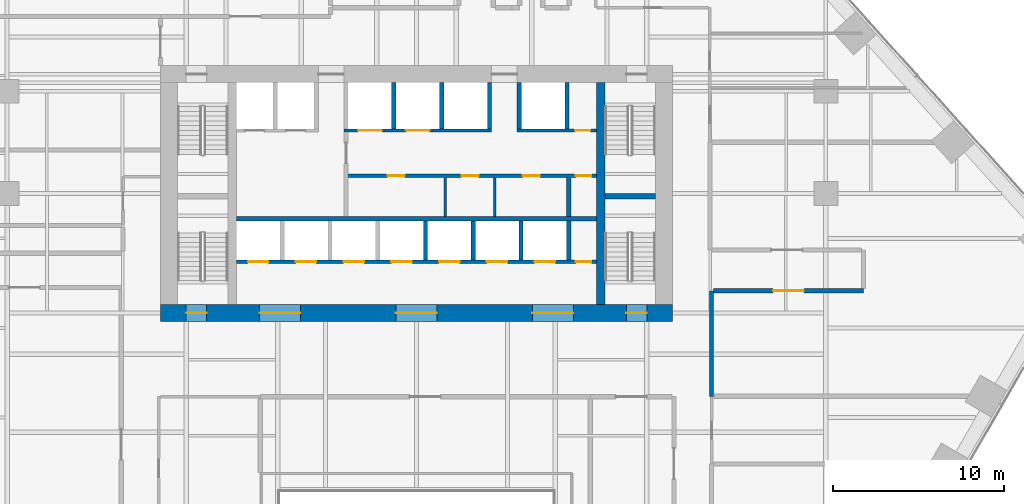
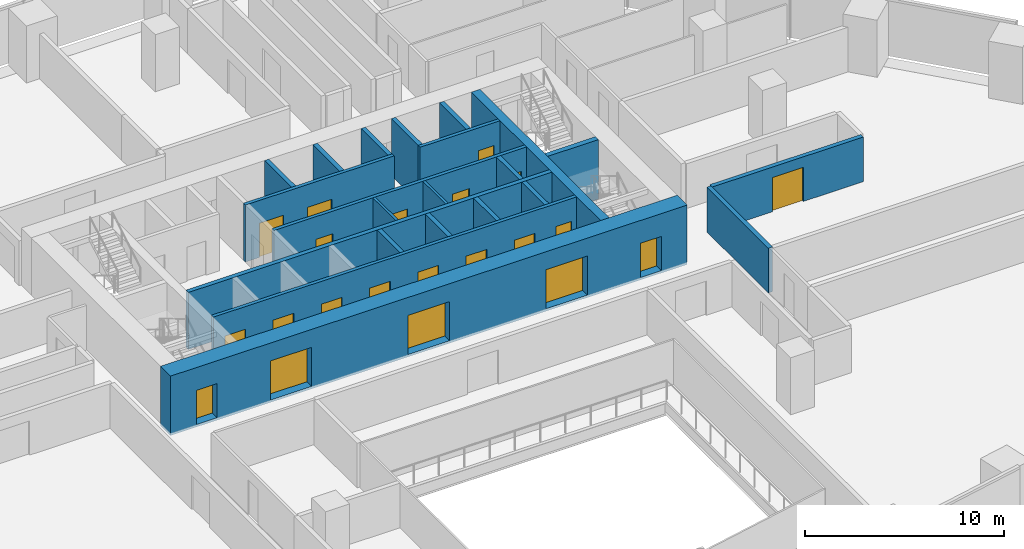
# One storey, part 15 of 21: 22 walls, 21 doors, 21 openings.
"""IFC4 building model written with IfcOpenShell, lengths in metres."""

import ifcopenshell
import ifcopenshell.guid

model = None  # the IFC model being written
_history = None  # IfcOwnerHistory: only IFC2X3 demands one
_inside = {}  # id of a spatial element -> (the spatial element, [elements in it])
_under = {}  # id of a project, library or spatial element -> (it, [spatial elements below it])
_declared = {}  # id of a project -> (the project, [libraries it declares])
_typed = {}  # id of a type object -> (the type object, [elements of that type])
_made_of = {}  # id of a material, layer set ... -> (it, [elements and type objects made of it])


def new_model(schema):
    """Start an empty IFC model of exactly this schema.

    Asked for "IFC4X3", IfcOpenShell would pick the latest addendum, in which some entities
    have other attributes; the version numbers below select the first issue.
    IFC2X3 requires an IfcOwnerHistory on every rooted entity: one is made here for all.
    """
    global model, _history
    if schema == "IFC4X3":
        model = ifcopenshell.file(schema_version=(4, 3, 0, 0))
    else:
        model = ifcopenshell.file(schema=schema)
    _inside.clear()
    _under.clear()
    _declared.clear()
    _typed.clear()
    _made_of.clear()
    _history = None
    if model.schema == "IFC2X3":
        org = make("IfcOrganization", Name="unknown")
        user = make(
            "IfcPersonAndOrganization",
            ThePerson=make("IfcPerson", FamilyName="unknown"),
            TheOrganization=org,
        )
        app = make(
            "IfcApplication",
            ApplicationDeveloper=org,
            Version="unknown",
            ApplicationFullName="unknown",
            ApplicationIdentifier="unknown",
        )
        _history = make(
            "IfcOwnerHistory",
            OwningUser=user,
            OwningApplication=app,
            ChangeAction="ADDED",
            CreationDate=0,
        )
    return model


def make(cls, **values):
    """One entity of the class cls with the attributes given. An attribute that is None is left unset."""
    return model.create_entity(
        cls, **{name: value for name, value in values.items() if value is not None}
    )


def rooted(cls, **values):
    """An entity with a GlobalId (a new one), such as an element, a storey or a relation."""
    return make(cls, GlobalId=ifcopenshell.guid.new(), OwnerHistory=_history, **values)


def si_unit(unit_type, name, prefix=None):
    """IfcSIUnit, for example si_unit("LENGTHUNIT", "METRE", prefix="MILLI")."""
    return make("IfcSIUnit", UnitType=unit_type, Prefix=prefix, Name=name)


def assignment(units):
    """IfcUnitAssignment: the units of a project."""
    return None if units is None else make("IfcUnitAssignment", Units=units)


def point(xyz):
    """IfcCartesianPoint."""
    return None if xyz is None else make("IfcCartesianPoint", Coordinates=xyz)


def direction(xyz):
    """IfcDirection."""
    return None if xyz is None else make("IfcDirection", DirectionRatios=xyz)


def frame(location, z_axis=None, x_axis=None):
    """IfcAxis2Placement3D, a coordinate frame: its origin and axes. An axis left out is left unset."""
    return make(
        "IfcAxis2Placement3D",
        Location=point(location),
        Axis=direction(z_axis),
        RefDirection=direction(x_axis),
    )


def frame_2d(location, x_axis=None):
    """IfcAxis2Placement2D, a coordinate frame in the plane: its origin and x axis."""
    return make(
        "IfcAxis2Placement2D", Location=point(location), RefDirection=direction(x_axis)
    )


def origin():
    """The frame at (0, 0, 0) with its axes left unset."""
    return frame((0.0, 0.0, 0.0))


def place(relative_to, where):
    """IfcLocalPlacement: puts the frame where relative to a parent placement (None: the world)."""
    return make(
        "IfcLocalPlacement", PlacementRelTo=relative_to, RelativePlacement=where
    )


def context(
    kind, dimensions, precision=None, world=None, true_north=None, identifier=None
):
    """IfcGeometricRepresentationContext, for example the 3D "Model" context."""
    return make(
        "IfcGeometricRepresentationContext",
        ContextIdentifier=identifier,
        ContextType=kind,
        CoordinateSpaceDimension=dimensions,
        Precision=precision,
        WorldCoordinateSystem=world,
        TrueNorth=true_north,
    )


def subcontext(parent, identifier, kind, view, scale=None):
    """IfcGeometricRepresentationSubContext, for example "Body" below "Model"."""
    return make(
        "IfcGeometricRepresentationSubContext",
        ContextIdentifier=identifier,
        ContextType=kind,
        ParentContext=parent,
        TargetScale=scale,
        TargetView=view,
    )


def project(units=None, contexts=None):
    """IfcProject with its units and contexts."""
    return rooted(
        "IfcProject",
        Name="project",
        RepresentationContexts=contexts,
        UnitsInContext=assignment(units),
    )


def spatial(cls, under=None, at=None, **own):
    """A site, building, storey or space (cls), placed at a placement, below another one or the project."""
    s = rooted(cls, ObjectPlacement=at, **own)
    if under is not None:
        _under.setdefault(under.id(), (under, []))[1].append(s)
    return s


def profile(cls, at=None, kind="AREA", **sizes):
    """A parametric profile (cls). Its sizes go by their IFC names, for example OverallWidth=200.0."""
    return make(cls, ProfileType=kind, Position=at, **sizes)


def rectangle(**sizes):
    """IfcRectangleProfileDef."""
    return profile("IfcRectangleProfileDef", **sizes)


def extrude(swept, where, along, depth):
    """IfcExtrudedAreaSolid: the profile swept, set in the frame where, extruded along a direction by depth."""
    return make(
        "IfcExtrudedAreaSolid",
        SweptArea=swept,
        Position=where,
        ExtrudedDirection=direction(along),
        Depth=depth,
    )


def shape(context_of_items, identifier, shape_type, items):
    """IfcShapeRepresentation: the items that make up one representation, for example the "Body"."""
    return make(
        "IfcShapeRepresentation",
        ContextOfItems=context_of_items,
        RepresentationIdentifier=identifier,
        RepresentationType=shape_type,
        Items=items,
    )


def material(Name=None, Category=None):
    """IfcMaterial."""
    return make("IfcMaterial", Name=Name, Category=Category)


def layer(
    of_material, thickness, ventilated=None, Name=None, Category=None, Priority=None
):
    """IfcMaterialLayer: one layer of a wall or slab, of a material (None: an air gap)."""
    return make(
        "IfcMaterialLayer",
        Material=of_material,
        LayerThickness=thickness,
        IsVentilated=ventilated,
        Name=Name,
        Category=Category,
        Priority=Priority,
    )


def layer_set(layers, Name=None):
    """IfcMaterialLayerSet."""
    return make("IfcMaterialLayerSet", MaterialLayers=layers, LayerSetName=Name)


def made_of(thing, what):
    """Note that an element or type object is made of a material, layer set ...; save() writes the relation."""
    if what is not None:
        _made_of.setdefault(what.id(), (what, []))[1].append(thing)
    return thing


def type_object(cls, material=None, **own):
    """A type object (cls), such as IfcWallType, which elements share."""
    return made_of(rooted(cls, **own), material)


def element(
    cls,
    number,
    at=None,
    inside=None,
    cuts=None,
    type_object=None,
    material=None,
    context=None,
    identifier="Body",
    shape_type=None,
    held_by="IfcProductDefinitionShape",
    body=None,
    shapes=None,
    **own,
):
    """One element of the class cls, such as IfcWall. Its Tag is "e" and its number.

    at: its placement. inside: the storey or other place that contains it. cuts: it is an
    opening in that element (IfcRelVoidsElement). A single representation is given by context,
    identifier, shape_type and body (its items); several are given by shapes. held_by: the class
    of the entity that holds the representations. save() writes the other relations.
    """
    e = rooted(cls, Tag="e%d" % number, ObjectPlacement=at, **own)
    if body is not None:
        shapes = [shape(context, identifier, shape_type, body)]
    if shapes is not None:
        e.Representation = make(held_by, Representations=shapes)
    if inside is not None:
        _inside.setdefault(inside.id(), (inside, []))[1].append(e)
    if cuts is not None:
        rooted(
            "IfcRelVoidsElement", RelatingBuildingElement=cuts, RelatedOpeningElement=e
        )
    if type_object is not None:
        _typed.setdefault(type_object.id(), (type_object, []))[1].append(e)
    return made_of(e, material)


def fill(opening, filler):
    """IfcRelFillsElement: the door or window that sits in an opening."""
    return rooted(
        "IfcRelFillsElement",
        RelatingOpeningElement=opening,
        RelatedBuildingElement=filler,
    )


def aggregate(whole, parts):
    """IfcRelAggregates: a whole, such as a stair, and the parts it consists of."""
    return rooted("IfcRelAggregates", RelatingObject=whole, RelatedObjects=parts)


def save(model, path):
    """Write the relations noted so far, then the file.

    IfcRelAggregates (storeys below a building ...), IfcRelContainedInSpatialStructure (elements
    in a storey), IfcRelDefinesByType, IfcRelAssociatesMaterial and IfcRelDeclares: one each for
    every whole, place, type object, material and project.
    """
    for whole, parts in _under.values():
        aggregate(whole, parts)
    for where, things in _inside.values():
        rooted(
            "IfcRelContainedInSpatialStructure",
            RelatedElements=things,
            RelatingStructure=where,
        )
    for kind, things in _typed.values():
        rooted("IfcRelDefinesByType", RelatedObjects=things, RelatingType=kind)
    for what, things in _made_of.values():
        rooted("IfcRelAssociatesMaterial", RelatedObjects=things, RelatingMaterial=what)
    for by, libraries in _declared.values():
        rooted("IfcRelDeclares", RelatingContext=by, RelatedDefinitions=libraries)
    model.write(path)


model = new_model("IFC4")

# Units and contexts
model_context = context("Model", 3, precision=1e-05, world=origin(), true_north=direction((0.0, 1.0)))
body_context = subcontext(model_context, "Body", "Model", "MODEL_VIEW")
ifc_project = project(units=[si_unit("LENGTHUNIT", "METRE"), si_unit("AREAUNIT", "SQUARE_METRE"), si_unit("VOLUMEUNIT", "CUBIC_METRE"), si_unit("PLANEANGLEUNIT", "RADIAN"), si_unit("MASSUNIT", "GRAM", prefix="KILO")], contexts=[model_context])

# Site, building, storey
site_placement = place(None, origin())
site = spatial("IfcSite", under=ifc_project, at=site_placement, CompositionType="ELEMENT")
building_placement = place(site_placement, origin())
building = spatial("IfcBuilding", under=site, at=building_placement, Name="Isthmus Gate Tower", CompositionType="ELEMENT")
storey_placement = place(building_placement, frame((0.0, 0.0, 46.949951171875)))
storey = spatial("IfcBuildingStorey", under=building, at=storey_placement, Name="L09", CompositionType="ELEMENT", Elevation=46.949951171875)

# Wall
ifc_material_1 = material(Name="Double-leaf acoustic stud wall, fire-rated", Category="gypsum")
ifc_layer_1 = layer(ifc_material_1, 0.25)
ifc_layer_set_1 = layer_set([ifc_layer_1], Name="ACOUSTIC WALL 250 60 MIN")
wall_type_1 = type_object("IfcWallType", Name="ACOUSTIC WALL 250 60 MIN", PredefinedType="PARTITIONING", material=ifc_layer_set_1)
wall_1_placement = place(storey_placement, frame((17.300048828125, 1.800048828125, 0.0), z_axis=(0.0, 0.0, 1.0), x_axis=(0.0, -1.0, 0.0)))
element("IfcWall", 1, at=wall_1_placement, inside=storey, type_object=wall_type_1, Name="L09 Acoustic Wall 250 60 Min", PredefinedType="PARTITIONING", context=body_context, shape_type="SweptSolid", body=[
    extrude(rectangle(XDim=6.18994140625, YDim=0.25, at=frame_2d((3.094970703125, 0.0))), origin(), (0.0, 0.0, 1.0), 2.7412109375),
])

# Wall, opening, door
wall_2_placement = place(storey_placement, frame((26.199951171875, 1.800048828125, 0.0), z_axis=(0.0, 0.0, 1.0), x_axis=(-1.0, 0.0, 0.0)))
wall_2 = element("IfcWall", 2, at=wall_2_placement, inside=storey, type_object=wall_type_1, Name="L09 Acoustic Wall 250 60 Min", PredefinedType="PARTITIONING", context=body_context, shape_type="SweptSolid", body=[
    extrude(rectangle(XDim=8.77490234375, YDim=0.25, at=frame_2d((4.387451171875, 0.0))), origin(), (0.0, 0.0, 1.0), 2.7412109375),
])
opening_1_placement = place(wall_2_placement, frame((3.487548828125, 0.0, 0.0)))
opening_1 = element("IfcOpeningElement", 3, at=opening_1_placement, cuts=wall_2, Name="Opening DT-T1B-10", PredefinedType="OPENING", context=body_context, shape_type="SweptSolid", body=[
    extrude(rectangle(XDim=1.800048828125, YDim=2.10009765625, at=frame_2d((0.89990234375, 1.050048828125))), frame((0.0, 0.135009765625, 0.0), z_axis=(0.0, -1.0, 0.0), x_axis=(1.0, 0.0, 0.0)), (0.0, 0.0, 1.0), 0.27001953125),
])
ifc_material_2 = material(Name="Solid core timber door leaf, fire-rated", Category="wood")
door_type_1 = type_object("IfcDoorType", Name="FIRE DOOR ACOUSTIC ROOM 1800 X 2100 60 MIN", OperationType="DOUBLE_DOOR_DOUBLE_SWING", PredefinedType="DOOR", material=ifc_material_2)
door_1_placement = place(opening_1_placement, origin())
door_1 = element("IfcDoor", 4, at=door_1_placement, inside=storey, type_object=door_type_1, Name="L09 room door", OperationType="DOUBLE_DOOR_DOUBLE_SWING", OverallHeight=2.10009765625, OverallWidth=1.800048828125, PredefinedType="DOOR", context=body_context, shape_type="SweptSolid", body=[
    extrude(rectangle(XDim=1.800048828125, YDim=2.10009765625, at=frame_2d((0.89990234375, 1.050048828125))), frame((0.0, 0.02490234375, 0.0), z_axis=(0.0, -1.0, 0.0), x_axis=(1.0, 0.0, 0.0)), (0.0, 0.0, 1.0), 0.050048828125),
])
fill(opening_1, door_1)

# Wall
ifc_material_3 = material(Name="Concrete f'c 70 MPa", Category="concrete")
ifc_layer_2 = layer(ifc_material_3, 0.5)
ifc_layer_set_2 = layer_set([ifc_layer_2], Name="RC CORE SPINE WALL 500 F'C 70")
wall_type_2 = type_object("IfcWallType", Name="RC CORE SPINE WALL 500 F'C 70", PredefinedType="SOLIDWALL", material=ifc_layer_set_2)
wall_3_placement = place(storey_placement, frame((10.800048828125, 1.0, -0.14990234375), z_axis=(0.0, 0.0, 1.0), x_axis=(0.0, 1.0, 0.0)))
element("IfcWall", 5, at=wall_3_placement, inside=storey, type_object=wall_type_2, Name="str-corewall-L09-SPE", PredefinedType="SOLIDWALL", context=body_context, shape_type="SweptSolid", body=[
    extrude(rectangle(XDim=13.0, YDim=0.5, at=frame_2d((6.5, 0.0))), origin(), (0.0, 0.0, 1.0), 3.64990234375),
])

# Wall, openings, doors
ifc_material_4 = material(Name="Concrete f'c 70 MPa", Category="concrete")
ifc_layer_3 = layer(ifc_material_4, 1.0)
ifc_layer_set_3 = layer_set([ifc_layer_3], Name="RC CORE WALL 1000 F'C 70")
wall_type_3 = type_object("IfcWallType", Name="RC CORE WALL 1000 F'C 70", PredefinedType="SOLIDWALL", material=ifc_layer_set_3)
wall_4_placement = place(storey_placement, frame((-15.0, 0.5, -0.14990234375), z_axis=(0.0, 0.0, 1.0), x_axis=(1.0, 0.0, 0.0)))
wall_4 = element("IfcWall", 6, at=wall_4_placement, inside=storey, type_object=wall_type_3, Name="str-corewall-L09-S", PredefinedType="SOLIDWALL", context=body_context, shape_type="SweptSolid", body=[
    extrude(rectangle(XDim=30.0, YDim=1.0, at=frame_2d((15.0, 0.0))), origin(), (0.0, 0.0, 1.0), 3.64990234375),
])
opening_2_placement = place(wall_4_placement, frame((5.800048828125, 0.0, 0.14990234375)))
opening_2 = element("IfcOpeningElement", 7, at=opening_2_placement, cuts=wall_4, Name="Opening DC-A02-08", PredefinedType="OPENING", context=body_context, shape_type="SweptSolid", body=[
    extrude(rectangle(XDim=2.39990234375, YDim=2.39990234375, at=frame_2d((1.199951171875, 1.199951171875))), frame((0.0, 0.510009765625, 0.0), z_axis=(0.0, -1.0, 0.0), x_axis=(1.0, 0.0, 0.0)), (0.0, 0.0, 1.0), 1.02001953125),
])
opening_3_placement = place(wall_4_placement, frame((13.800048828125, 0.0, 0.14990234375)))
opening_3 = element("IfcOpeningElement", 8, at=opening_3_placement, cuts=wall_4, Name="Opening DC-A02-09", PredefinedType="OPENING", context=body_context, shape_type="SweptSolid", body=[
    extrude(rectangle(XDim=2.39990234375, YDim=2.39990234375, at=frame_2d((1.199951171875, 1.199951171875))), frame((0.0, 0.510009765625, 0.0), z_axis=(0.0, -1.0, 0.0), x_axis=(1.0, 0.0, 0.0)), (0.0, 0.0, 1.0), 1.02001953125),
])
opening_4_placement = place(wall_4_placement, frame((21.800048828125, 0.0, 0.14990234375)))
opening_4 = element("IfcOpeningElement", 9, at=opening_4_placement, cuts=wall_4, Name="Opening DC-A02-10", PredefinedType="OPENING", context=body_context, shape_type="SweptSolid", body=[
    extrude(rectangle(XDim=2.39990234375, YDim=2.39990234375, at=frame_2d((1.199951171875, 1.199951171875))), frame((0.0, 0.510009765625, 0.0), z_axis=(0.0, -1.0, 0.0), x_axis=(1.0, 0.0, 0.0)), (0.0, 0.0, 1.0), 1.02001953125),
])
opening_5_placement = place(wall_4_placement, frame((1.5, 0.0, 0.14990234375)))
opening_5 = element("IfcOpeningElement", 10, at=opening_5_placement, cuts=wall_4, Name="Opening DC-A02-15", PredefinedType="OPENING", context=body_context, shape_type="SweptSolid", body=[
    extrude(rectangle(XDim=1.199951171875, YDim=2.10009765625, at=frame_2d((0.60009765625, 1.050048828125))), frame((0.0, 0.510009765625, 0.0), z_axis=(0.0, -1.0, 0.0), x_axis=(1.0, 0.0, 0.0)), (0.0, 0.0, 1.0), 1.02001953125),
])
opening_6_placement = place(wall_4_placement, frame((27.300048828125, 0.0, 0.14990234375)))
opening_6 = element("IfcOpeningElement", 11, at=opening_6_placement, cuts=wall_4, Name="Opening DC-A02-16", PredefinedType="OPENING", context=body_context, shape_type="SweptSolid", body=[
    extrude(rectangle(XDim=1.199951171875, YDim=2.10009765625, at=frame_2d((0.60009765625, 1.050048828125))), frame((0.0, 0.510009765625, 0.0), z_axis=(0.0, -1.0, 0.0), x_axis=(1.0, 0.0, 0.0)), (0.0, 0.0, 1.0), 1.02001953125),
])
ifc_material_5 = material(Name="Laminated safety glass in steel frame, fire-rated", Category="steel")
door_type_2 = type_object("IfcDoorType", Name="LOBBY ENTRANCE FIRE DOOR 2400 X 2400 60 MIN", OperationType="DOUBLE_DOOR_DOUBLE_SWING", PredefinedType="DOOR", material=ifc_material_5)
door_2_placement = place(opening_2_placement, origin())
door_2 = element("IfcDoor", 12, at=door_2_placement, inside=storey, type_object=door_type_2, Name="Lobby Entrance PS-W", OperationType="DOUBLE_DOOR_DOUBLE_SWING", OverallHeight=2.39990234375, OverallWidth=2.39990234375, PredefinedType="DOOR", context=body_context, shape_type="SweptSolid", body=[
    extrude(rectangle(XDim=2.39990234375, YDim=2.39990234375, at=frame_2d((1.199951171875, 1.199951171875))), frame((0.0, 0.02490234375, 0.0), z_axis=(0.0, -1.0, 0.0), x_axis=(1.0, 0.0, 0.0)), (0.0, 0.0, 1.0), 0.050048828125),
])
fill(opening_2, door_2)
door_3_placement = place(opening_3_placement, origin())
door_3 = element("IfcDoor", 13, at=door_3_placement, inside=storey, type_object=door_type_2, Name="Lobby Entrance PS-C", OperationType="DOUBLE_DOOR_DOUBLE_SWING", OverallHeight=2.39990234375, OverallWidth=2.39990234375, PredefinedType="DOOR", context=body_context, shape_type="SweptSolid", body=[
    extrude(rectangle(XDim=2.39990234375, YDim=2.39990234375, at=frame_2d((1.199951171875, 1.199951171875))), frame((0.0, 0.02490234375, 0.0), z_axis=(0.0, -1.0, 0.0), x_axis=(1.0, 0.0, 0.0)), (0.0, 0.0, 1.0), 0.050048828125),
])
fill(opening_3, door_3)
door_4_placement = place(opening_4_placement, origin())
door_4 = element("IfcDoor", 14, at=door_4_placement, inside=storey, type_object=door_type_2, Name="Lobby Entrance PS-E", OperationType="DOUBLE_DOOR_DOUBLE_SWING", OverallHeight=2.39990234375, OverallWidth=2.39990234375, PredefinedType="DOOR", context=body_context, shape_type="SweptSolid", body=[
    extrude(rectangle(XDim=2.39990234375, YDim=2.39990234375, at=frame_2d((1.199951171875, 1.199951171875))), frame((0.0, 0.02490234375, 0.0), z_axis=(0.0, -1.0, 0.0), x_axis=(1.0, 0.0, 0.0)), (0.0, 0.0, 1.0), 0.050048828125),
])
fill(opening_4, door_4)
ifc_material_6 = material(Name="Steel door leaf, fire-rated", Category="steel")
door_type_3 = type_object("IfcDoorType", Name="STAIR FIRE DOOR 1200 X 2100 90 MIN", OperationType="SINGLE_SWING_LEFT", PredefinedType="DOOR", material=ifc_material_6)
door_5_placement = place(opening_5_placement, origin())
door_5 = element("IfcDoor", 15, at=door_5_placement, inside=storey, type_object=door_type_3, Name="Exit Stair 7 Door", OperationType="SINGLE_SWING_LEFT", OverallHeight=2.10009765625, OverallWidth=1.199951171875, PredefinedType="DOOR", context=body_context, shape_type="SweptSolid", body=[
    extrude(rectangle(XDim=1.199951171875, YDim=2.10009765625, at=frame_2d((0.60009765625, 1.050048828125))), frame((0.0, 0.02490234375, 0.0), z_axis=(0.0, -1.0, 0.0), x_axis=(1.0, 0.0, 0.0)), (0.0, 0.0, 1.0), 0.050048828125),
])
fill(opening_5, door_5)
door_6_placement = place(opening_6_placement, origin())
door_6 = element("IfcDoor", 16, at=door_6_placement, inside=storey, type_object=door_type_3, Name="Exit Stair 8 Door", OperationType="SINGLE_SWING_RIGHT", OverallHeight=2.10009765625, OverallWidth=1.199951171875, PredefinedType="DOOR", context=body_context, shape_type="SweptSolid", body=[
    extrude(rectangle(XDim=1.199951171875, YDim=2.10009765625, at=frame_2d((0.60009765625, 1.050048828125))), frame((0.0, 0.02490234375, 0.0), z_axis=(0.0, -1.0, 0.0), x_axis=(1.0, 0.0, 0.0)), (0.0, 0.0, 1.0), 0.050048828125),
])
fill(opening_6, door_6)

# Walls
ifc_material_7 = material(Name="Gypsum board on steel studs, fire-rated", Category="steel")
ifc_layer_4 = layer(ifc_material_7, 0.14990234375)
ifc_layer_set_4 = layer_set([ifc_layer_4], Name="ROOM PARTITION 150 60 MIN")
wall_type_4 = type_object("IfcWallType", Name="ROOM PARTITION 150 60 MIN", PredefinedType="PARTITIONING", material=ifc_layer_set_4)
for number, where, z_axis, x_axis, name in (
    (17, (1.699951171875, 6.14990234375, 0.0), (0.0, 0.0, 1.0), (0.0, 1.0, 0.0), "L09 ROOM PARTITION 150 60 MIN"),
    (18, (4.60009765625, 6.14990234375, 0.0), (0.0, 0.0, 1.0), (0.0, 1.0, 0.0), "L09 ROOM PARTITION 150 60 MIN"),
):
    element("IfcWall", number, at=place(storey_placement, frame(where, z_axis=z_axis, x_axis=x_axis)), inside=storey, type_object=wall_type_4, Name=name, PredefinedType="PARTITIONING", context=body_context, shape_type="SweptSolid", body=[
        extrude(rectangle(XDim=2.300048828125, YDim=0.14990234375, at=frame_2d((1.14990234375, 0.0))), origin(), (0.0, 0.0, 1.0), 3.5),
    ])

# Wall, openings, doors
ifc_material_8 = material(Name="Fire-rated blockwork masonry, 15 MPa", Category="masonry")
ifc_layer_5 = layer(ifc_material_8, 0.199951171875)
ifc_layer_set_5 = layer_set([ifc_layer_5], Name="SHAFT FRONT WALL 200 120 MIN")
wall_type_5 = type_object("IfcWallType", Name="SHAFT FRONT WALL 200 120 MIN", PredefinedType="PARTITIONING", material=ifc_layer_set_5)
wall_5_placement = place(storey_placement, frame((-10.550048828125, 3.5, 0.0), z_axis=(0.0, 0.0, 1.0), x_axis=(1.0, 0.0, 0.0)))
wall_5 = element("IfcWall", 19, at=wall_5_placement, inside=storey, type_object=wall_type_5, Name="L09 SHAFT FRONT WALL 200 120 MIN", PredefinedType="PARTITIONING", context=body_context, shape_type="SweptSolid", body=[
    extrude(rectangle(XDim=21.10009765625, YDim=0.199951171875, at=frame_2d((10.550048828125, 0.0))), origin(), (0.0, 0.0, 1.0), 3.5),
])
opening_7_placement = place(wall_5_placement, frame((0.675048828125, 0.0, 0.0)))
opening_7 = element("IfcOpeningElement", 20, at=opening_7_placement, cuts=wall_5, Name="Opening LD-LA1", PredefinedType="OPENING", context=body_context, shape_type="SweptSolid", body=[
    extrude(rectangle(XDim=1.199951171875, YDim=2.10009765625, at=frame_2d((0.60009765625, 1.050048828125))), frame((0.0, 0.10986328125, 0.0), z_axis=(0.0, -1.0, 0.0), x_axis=(1.0, 0.0, 0.0)), (0.0, 0.0, 1.0), 0.219970703125),
])
opening_8_placement = place(wall_5_placement, frame((3.47509765625, 0.0, 0.0)))
opening_8 = element("IfcOpeningElement", 21, at=opening_8_placement, cuts=wall_5, Name="Opening LD-LA2", PredefinedType="OPENING", context=body_context, shape_type="SweptSolid", body=[
    extrude(rectangle(XDim=1.199951171875, YDim=2.10009765625, at=frame_2d((0.60009765625, 1.050048828125))), frame((0.0, 0.10986328125, 0.0), z_axis=(0.0, -1.0, 0.0), x_axis=(1.0, 0.0, 0.0)), (0.0, 0.0, 1.0), 0.219970703125),
])
opening_9_placement = place(wall_5_placement, frame((6.27490234375, 0.0, 0.0)))
opening_9 = element("IfcOpeningElement", 22, at=opening_9_placement, cuts=wall_5, Name="Opening LD-LA3", PredefinedType="OPENING", context=body_context, shape_type="SweptSolid", body=[
    extrude(rectangle(XDim=1.199951171875, YDim=2.10009765625, at=frame_2d((0.60009765625, 1.050048828125))), frame((0.0, 0.10986328125, 0.0), z_axis=(0.0, -1.0, 0.0), x_axis=(1.0, 0.0, 0.0)), (0.0, 0.0, 1.0), 0.219970703125),
])
opening_10_placement = place(wall_5_placement, frame((9.074951171875, 0.0, 0.0)))
opening_10 = element("IfcOpeningElement", 23, at=opening_10_placement, cuts=wall_5, Name="Opening LD-LA4", PredefinedType="OPENING", context=body_context, shape_type="SweptSolid", body=[
    extrude(rectangle(XDim=1.199951171875, YDim=2.10009765625, at=frame_2d((0.60009765625, 1.050048828125))), frame((0.0, 0.10986328125, 0.0), z_axis=(0.0, -1.0, 0.0), x_axis=(1.0, 0.0, 0.0)), (0.0, 0.0, 1.0), 0.219970703125),
])
opening_11_placement = place(wall_5_placement, frame((11.875, 0.0, 0.0)))
opening_11 = element("IfcOpeningElement", 24, at=opening_11_placement, cuts=wall_5, Name="Opening LD-LA5", PredefinedType="OPENING", context=body_context, shape_type="SweptSolid", body=[
    extrude(rectangle(XDim=1.199951171875, YDim=2.10009765625, at=frame_2d((0.60009765625, 1.050048828125))), frame((0.0, 0.10986328125, 0.0), z_axis=(0.0, -1.0, 0.0), x_axis=(1.0, 0.0, 0.0)), (0.0, 0.0, 1.0), 0.219970703125),
])
opening_12_placement = place(wall_5_placement, frame((14.675048828125, 0.0, 0.0)))
opening_12 = element("IfcOpeningElement", 25, at=opening_12_placement, cuts=wall_5, Name="Opening LD-LA6", PredefinedType="OPENING", context=body_context, shape_type="SweptSolid", body=[
    extrude(rectangle(XDim=1.199951171875, YDim=2.10009765625, at=frame_2d((0.60009765625, 1.050048828125))), frame((0.0, 0.10986328125, 0.0), z_axis=(0.0, -1.0, 0.0), x_axis=(1.0, 0.0, 0.0)), (0.0, 0.0, 1.0), 0.219970703125),
])
opening_13_placement = place(wall_5_placement, frame((17.47509765625, 0.0, 0.0)))
opening_13 = element("IfcOpeningElement", 26, at=opening_13_placement, cuts=wall_5, Name="Opening LD-LA7", PredefinedType="OPENING", context=body_context, shape_type="SweptSolid", body=[
    extrude(rectangle(XDim=1.199951171875, YDim=2.10009765625, at=frame_2d((0.60009765625, 1.050048828125))), frame((0.0, 0.10986328125, 0.0), z_axis=(0.0, -1.0, 0.0), x_axis=(1.0, 0.0, 0.0)), (0.0, 0.0, 1.0), 0.219970703125),
])
opening_14_placement = place(wall_5_placement, frame((19.89990234375, 0.0, 0.0)))
opening_14 = element("IfcOpeningElement", 27, at=opening_14_placement, cuts=wall_5, Name="Opening DC-A02-02", PredefinedType="OPENING", context=body_context, shape_type="SweptSolid", body=[
    extrude(rectangle(XDim=0.89990234375, YDim=2.10009765625, at=frame_2d((0.449951171875, 1.050048828125))), frame((0.0, 0.10986328125, 0.0), z_axis=(0.0, -1.0, 0.0), x_axis=(1.0, 0.0, 0.0)), (0.0, 0.0, 1.0), 0.219970703125),
])
ifc_material_9 = material(Name="Stainless steel sliding leaf", Category="steel")
door_type_4 = type_object("IfcDoorType", Name="LIFT LANDING FIRE DOOR 1200 X 2100 90 MIN", OperationType="DOUBLE_DOOR_SLIDING", PredefinedType="DOOR", material=ifc_material_9)
door_7_placement = place(opening_7_placement, origin())
door_7 = element("IfcDoor", 28, at=door_7_placement, inside=storey, type_object=door_type_4, Name="Lift Landing Door LA1", OperationType="DOUBLE_DOOR_SLIDING", OverallHeight=2.10009765625, OverallWidth=1.199951171875, PredefinedType="DOOR", context=body_context, shape_type="SweptSolid", body=[
    extrude(rectangle(XDim=1.199951171875, YDim=2.10009765625, at=frame_2d((0.60009765625, 1.050048828125))), frame((0.0, 0.02490234375, 0.0), z_axis=(0.0, -1.0, 0.0), x_axis=(1.0, 0.0, 0.0)), (0.0, 0.0, 1.0), 0.050048828125),
])
fill(opening_7, door_7)
door_8_placement = place(opening_8_placement, origin())
door_8 = element("IfcDoor", 29, at=door_8_placement, inside=storey, type_object=door_type_4, Name="Lift Landing Door LA2", OperationType="DOUBLE_DOOR_SLIDING", OverallHeight=2.10009765625, OverallWidth=1.199951171875, PredefinedType="DOOR", context=body_context, shape_type="SweptSolid", body=[
    extrude(rectangle(XDim=1.199951171875, YDim=2.10009765625, at=frame_2d((0.60009765625, 1.050048828125))), frame((0.0, 0.02490234375, 0.0), z_axis=(0.0, -1.0, 0.0), x_axis=(1.0, 0.0, 0.0)), (0.0, 0.0, 1.0), 0.050048828125),
])
fill(opening_8, door_8)
door_9_placement = place(opening_9_placement, origin())
door_9 = element("IfcDoor", 30, at=door_9_placement, inside=storey, type_object=door_type_4, Name="Lift Landing Door LA3", OperationType="DOUBLE_DOOR_SLIDING", OverallHeight=2.10009765625, OverallWidth=1.199951171875, PredefinedType="DOOR", context=body_context, shape_type="SweptSolid", body=[
    extrude(rectangle(XDim=1.199951171875, YDim=2.10009765625, at=frame_2d((0.60009765625, 1.050048828125))), frame((0.0, 0.02490234375, 0.0), z_axis=(0.0, -1.0, 0.0), x_axis=(1.0, 0.0, 0.0)), (0.0, 0.0, 1.0), 0.050048828125),
])
fill(opening_9, door_9)
door_10_placement = place(opening_10_placement, origin())
door_10 = element("IfcDoor", 31, at=door_10_placement, inside=storey, type_object=door_type_4, Name="Lift Landing Door LA4", OperationType="DOUBLE_DOOR_SLIDING", OverallHeight=2.10009765625, OverallWidth=1.199951171875, PredefinedType="DOOR", context=body_context, shape_type="SweptSolid", body=[
    extrude(rectangle(XDim=1.199951171875, YDim=2.10009765625, at=frame_2d((0.60009765625, 1.050048828125))), frame((0.0, 0.02490234375, 0.0), z_axis=(0.0, -1.0, 0.0), x_axis=(1.0, 0.0, 0.0)), (0.0, 0.0, 1.0), 0.050048828125),
])
fill(opening_10, door_10)
door_11_placement = place(opening_11_placement, origin())
door_11 = element("IfcDoor", 32, at=door_11_placement, inside=storey, type_object=door_type_4, Name="Lift Landing Door LA5", OperationType="DOUBLE_DOOR_SLIDING", OverallHeight=2.10009765625, OverallWidth=1.199951171875, PredefinedType="DOOR", context=body_context, shape_type="SweptSolid", body=[
    extrude(rectangle(XDim=1.199951171875, YDim=2.10009765625, at=frame_2d((0.60009765625, 1.050048828125))), frame((0.0, 0.02490234375, 0.0), z_axis=(0.0, -1.0, 0.0), x_axis=(1.0, 0.0, 0.0)), (0.0, 0.0, 1.0), 0.050048828125),
])
fill(opening_11, door_11)
door_12_placement = place(opening_12_placement, origin())
door_12 = element("IfcDoor", 33, at=door_12_placement, inside=storey, type_object=door_type_4, Name="Lift Landing Door LA6", OperationType="DOUBLE_DOOR_SLIDING", OverallHeight=2.10009765625, OverallWidth=1.199951171875, PredefinedType="DOOR", context=body_context, shape_type="SweptSolid", body=[
    extrude(rectangle(XDim=1.199951171875, YDim=2.10009765625, at=frame_2d((0.60009765625, 1.050048828125))), frame((0.0, 0.02490234375, 0.0), z_axis=(0.0, -1.0, 0.0), x_axis=(1.0, 0.0, 0.0)), (0.0, 0.0, 1.0), 0.050048828125),
])
fill(opening_12, door_12)
door_13_placement = place(opening_13_placement, origin())
door_13 = element("IfcDoor", 34, at=door_13_placement, inside=storey, type_object=door_type_4, Name="Lift Landing Door LA7", OperationType="DOUBLE_DOOR_SLIDING", OverallHeight=2.10009765625, OverallWidth=1.199951171875, PredefinedType="DOOR", context=body_context, shape_type="SweptSolid", body=[
    extrude(rectangle(XDim=1.199951171875, YDim=2.10009765625, at=frame_2d((0.60009765625, 1.050048828125))), frame((0.0, 0.02490234375, 0.0), z_axis=(0.0, -1.0, 0.0), x_axis=(1.0, 0.0, 0.0)), (0.0, 0.0, 1.0), 0.050048828125),
])
fill(opening_13, door_13)
ifc_material_10 = material(Name="Steel door leaf, fire-rated", Category="steel")
door_type_5 = type_object("IfcDoorType", Name="RISER FIRE DOOR 900 X 2100 90 MIN", OperationType="SINGLE_SWING_LEFT", PredefinedType="DOOR", material=ifc_material_10)
door_14_placement = place(opening_14_placement, origin())
door_14 = element("IfcDoor", 35, at=door_14_placement, inside=storey, type_object=door_type_5, Name="Riser Door", OperationType="SINGLE_SWING_RIGHT", OverallHeight=2.10009765625, OverallWidth=0.89990234375, PredefinedType="DOOR", context=body_context, shape_type="SweptSolid", body=[
    extrude(rectangle(XDim=0.89990234375, YDim=2.10009765625, at=frame_2d((0.449951171875, 1.050048828125))), frame((0.0, 0.02490234375, 0.0), z_axis=(0.0, -1.0, 0.0), x_axis=(1.0, 0.0, 0.0)), (0.0, 0.0, 1.0), 0.050048828125),
])
fill(opening_14, door_14)

wall_6_placement = place(storey_placement, frame((-4.125, 8.550048828125, 0.0), z_axis=(0.0, 0.0, 1.0), x_axis=(1.0, 0.0, 0.0)))
wall_6 = element("IfcWall", 36, at=wall_6_placement, inside=storey, type_object=wall_type_5, Name="L09 SHAFT FRONT WALL 200 120 MIN", PredefinedType="PARTITIONING", context=body_context, shape_type="SweptSolid", body=[
    extrude(rectangle(XDim=14.675048828125, YDim=0.199951171875, at=frame_2d((7.33740234375, 0.0))), origin(), (0.0, 0.0, 1.0), 3.5),
])
opening_15_placement = place(wall_6_placement, frame((2.4375, 0.0, 0.0)))
opening_15 = element("IfcOpeningElement", 37, at=opening_15_placement, cuts=wall_6, Name="Opening DC-A02-03", PredefinedType="OPENING", context=body_context, shape_type="SweptSolid", body=[
    extrude(rectangle(XDim=1.0, YDim=2.10009765625, at=frame_2d((0.5, 1.050048828125))), frame((0.0, 0.10986328125, 0.0), z_axis=(0.0, -1.0, 0.0), x_axis=(1.0, 0.0, 0.0)), (0.0, 0.0, 1.0), 0.219970703125),
])
opening_16_placement = place(wall_6_placement, frame((6.77490234375, 0.0, 0.0)))
opening_16 = element("IfcOpeningElement", 38, at=opening_16_placement, cuts=wall_6, Name="Opening DC-A02-04", PredefinedType="OPENING", context=body_context, shape_type="SweptSolid", body=[
    extrude(rectangle(XDim=1.0, YDim=2.10009765625, at=frame_2d((0.5, 1.050048828125))), frame((0.0, 0.10986328125, 0.0), z_axis=(0.0, -1.0, 0.0), x_axis=(1.0, 0.0, 0.0)), (0.0, 0.0, 1.0), 0.219970703125),
])
opening_17_placement = place(wall_6_placement, frame((10.362548828125, 0.0, 0.0)))
opening_17 = element("IfcOpeningElement", 39, at=opening_17_placement, cuts=wall_6, Name="Opening DC-A02-05", PredefinedType="OPENING", context=body_context, shape_type="SweptSolid", body=[
    extrude(rectangle(XDim=1.0, YDim=2.10009765625, at=frame_2d((0.5, 1.050048828125))), frame((0.0, 0.10986328125, 0.0), z_axis=(0.0, -1.0, 0.0), x_axis=(1.0, 0.0, 0.0)), (0.0, 0.0, 1.0), 0.219970703125),
])
opening_18_placement = place(wall_6_placement, frame((13.47509765625, 0.0, 0.0)))
opening_18 = element("IfcOpeningElement", 40, at=opening_18_placement, cuts=wall_6, Name="Opening DC-A02-06", PredefinedType="OPENING", context=body_context, shape_type="SweptSolid", body=[
    extrude(rectangle(XDim=0.89990234375, YDim=2.10009765625, at=frame_2d((0.449951171875, 1.050048828125))), frame((0.0, 0.10986328125, 0.0), z_axis=(0.0, -1.0, 0.0), x_axis=(1.0, 0.0, 0.0)), (0.0, 0.0, 1.0), 0.219970703125),
])
ifc_material_11 = material(Name="Steel door leaf, fire-rated", Category="steel")
door_type_6 = type_object("IfcDoorType", Name="FIRE DOOR 1000 X 2100 60 MIN", OperationType="SINGLE_SWING_LEFT", PredefinedType="DOOR", material=ifc_material_11)
door_15_placement = place(opening_15_placement, origin())
door_15 = element("IfcDoor", 41, at=door_15_placement, inside=storey, type_object=door_type_6, Name="WC Women Door", OperationType="SINGLE_SWING_LEFT", OverallHeight=2.10009765625, OverallWidth=1.0, PredefinedType="DOOR", context=body_context, shape_type="SweptSolid", body=[
    extrude(rectangle(XDim=1.0, YDim=2.10009765625, at=frame_2d((0.5, 1.050048828125))), frame((0.0, 0.02490234375, 0.0), z_axis=(0.0, -1.0, 0.0), x_axis=(1.0, 0.0, 0.0)), (0.0, 0.0, 1.0), 0.050048828125),
])
fill(opening_15, door_15)
door_16_placement = place(opening_16_placement, origin())
door_16 = element("IfcDoor", 42, at=door_16_placement, inside=storey, type_object=door_type_6, Name="Accessible WC Door", OperationType="SINGLE_SWING_RIGHT", OverallHeight=2.10009765625, OverallWidth=1.0, PredefinedType="DOOR", context=body_context, shape_type="SweptSolid", body=[
    extrude(rectangle(XDim=1.0, YDim=2.10009765625, at=frame_2d((0.5, 1.050048828125))), frame((0.0, 0.02490234375, 0.0), z_axis=(0.0, -1.0, 0.0), x_axis=(1.0, 0.0, 0.0)), (0.0, 0.0, 1.0), 0.050048828125),
])
fill(opening_16, door_16)
door_17_placement = place(opening_17_placement, origin())
door_17 = element("IfcDoor", 43, at=door_17_placement, inside=storey, type_object=door_type_6, Name="WC Men Door", OperationType="SINGLE_SWING_LEFT", OverallHeight=2.10009765625, OverallWidth=1.0, PredefinedType="DOOR", context=body_context, shape_type="SweptSolid", body=[
    extrude(rectangle(XDim=1.0, YDim=2.10009765625, at=frame_2d((0.5, 1.050048828125))), frame((0.0, 0.02490234375, 0.0), z_axis=(0.0, -1.0, 0.0), x_axis=(1.0, 0.0, 0.0)), (0.0, 0.0, 1.0), 0.050048828125),
])
fill(opening_17, door_17)
door_18_placement = place(opening_18_placement, origin())
door_18 = element("IfcDoor", 44, at=door_18_placement, inside=storey, type_object=door_type_5, Name="Riser Door", OperationType="SINGLE_SWING_RIGHT", OverallHeight=2.10009765625, OverallWidth=0.89990234375, PredefinedType="DOOR", context=body_context, shape_type="SweptSolid", body=[
    extrude(rectangle(XDim=0.89990234375, YDim=2.10009765625, at=frame_2d((0.449951171875, 1.050048828125))), frame((0.0, 0.02490234375, 0.0), z_axis=(0.0, -1.0, 0.0), x_axis=(1.0, 0.0, 0.0)), (0.0, 0.0, 1.0), 0.050048828125),
])
fill(opening_18, door_18)

wall_7_placement = place(storey_placement, frame((-4.25, 11.199951171875, 0.0), z_axis=(0.0, 0.0, 1.0), x_axis=(1.0, 0.0, 0.0)))
wall_7 = element("IfcWall", 45, at=wall_7_placement, inside=storey, type_object=wall_type_5, Name="L09 SHAFT FRONT WALL 200 120 MIN", PredefinedType="PARTITIONING", context=body_context, shape_type="SweptSolid", body=[
    extrude(rectangle(XDim=8.64990234375, YDim=0.199951171875, at=frame_2d((4.324951171875, 0.0))), origin(), (0.0, 0.0, 1.0), 3.5),
])
opening_19_placement = place(wall_7_placement, frame((0.824951171875, 0.0, 0.0)))
opening_19 = element("IfcOpeningElement", 46, at=opening_19_placement, cuts=wall_7, Name="Opening LD-LV1", PredefinedType="OPENING", context=body_context, shape_type="SweptSolid", body=[
    extrude(rectangle(XDim=1.39990234375, YDim=2.10009765625, at=frame_2d((0.699951171875, 1.050048828125))), frame((0.0, 0.10986328125, 0.0), z_axis=(0.0, -1.0, 0.0), x_axis=(1.0, 0.0, 0.0)), (0.0, 0.0, 1.0), 0.219970703125),
])
opening_20_placement = place(wall_7_placement, frame((3.625, 0.0, 0.0)))
opening_20 = element("IfcOpeningElement", 47, at=opening_20_placement, cuts=wall_7, Name="Opening LD-LV2", PredefinedType="OPENING", context=body_context, shape_type="SweptSolid", body=[
    extrude(rectangle(XDim=1.39990234375, YDim=2.10009765625, at=frame_2d((0.699951171875, 1.050048828125))), frame((0.0, 0.10986328125, 0.0), z_axis=(0.0, -1.0, 0.0), x_axis=(1.0, 0.0, 0.0)), (0.0, 0.0, 1.0), 0.219970703125),
])
ifc_material_12 = material(Name="Stainless steel sliding leaf", Category="steel")
door_type_7 = type_object("IfcDoorType", Name="LIFT LANDING FIRE DOOR 1400 X 2100 90 MIN", OperationType="DOUBLE_DOOR_SLIDING", PredefinedType="DOOR", material=ifc_material_12)
door_19_placement = place(opening_19_placement, origin())
door_19 = element("IfcDoor", 48, at=door_19_placement, inside=storey, type_object=door_type_7, Name="Lift Landing Door LV1", OperationType="DOUBLE_DOOR_SLIDING", OverallHeight=2.10009765625, OverallWidth=1.39990234375, PredefinedType="DOOR", context=body_context, shape_type="SweptSolid", body=[
    extrude(rectangle(XDim=1.39990234375, YDim=2.10009765625, at=frame_2d((0.699951171875, 1.050048828125))), frame((0.0, 0.02490234375, 0.0), z_axis=(0.0, -1.0, 0.0), x_axis=(1.0, 0.0, 0.0)), (0.0, 0.0, 1.0), 0.050048828125),
])
fill(opening_19, door_19)
door_20_placement = place(opening_20_placement, origin())
door_20 = element("IfcDoor", 49, at=door_20_placement, inside=storey, type_object=door_type_7, Name="Lift Landing Door LV2", OperationType="DOUBLE_DOOR_SLIDING", OverallHeight=2.10009765625, OverallWidth=1.39990234375, PredefinedType="DOOR", context=body_context, shape_type="SweptSolid", body=[
    extrude(rectangle(XDim=1.39990234375, YDim=2.10009765625, at=frame_2d((0.699951171875, 1.050048828125))), frame((0.0, 0.02490234375, 0.0), z_axis=(0.0, -1.0, 0.0), x_axis=(1.0, 0.0, 0.0)), (0.0, 0.0, 1.0), 0.050048828125),
])
fill(opening_20, door_20)

# Wall, opening, door
wall_8_placement = place(storey_placement, frame((5.89990234375, 11.199951171875, 0.0), z_axis=(0.0, 0.0, 1.0), x_axis=(1.0, 0.0, 0.0)))
wall_8 = element("IfcWall", 50, at=wall_8_placement, inside=storey, type_object=wall_type_5, Name="L09 SHAFT FRONT WALL 200 120 MIN", PredefinedType="PARTITIONING", context=body_context, shape_type="SweptSolid", body=[
    extrude(rectangle(XDim=4.650146484375, YDim=0.199951171875, at=frame_2d((2.3251953125, 0.0))), origin(), (0.0, 0.0, 1.0), 3.5),
])
opening_21_placement = place(wall_8_placement, frame((3.39990234375, 0.0, 0.0)))
opening_21 = element("IfcOpeningElement", 51, at=opening_21_placement, cuts=wall_8, Name="Opening DC-A02-07", PredefinedType="OPENING", context=body_context, shape_type="SweptSolid", body=[
    extrude(rectangle(XDim=0.89990234375, YDim=2.10009765625, at=frame_2d((0.449951171875, 1.050048828125))), frame((0.0, 0.10986328125, 0.0), z_axis=(0.0, -1.0, 0.0), x_axis=(1.0, 0.0, 0.0)), (0.0, 0.0, 1.0), 0.219970703125),
])
door_21_placement = place(opening_21_placement, origin())
door_21 = element("IfcDoor", 52, at=door_21_placement, inside=storey, type_object=door_type_5, Name="Riser Door", OperationType="SINGLE_SWING_LEFT", OverallHeight=2.10009765625, OverallWidth=0.89990234375, PredefinedType="DOOR", context=body_context, shape_type="SweptSolid", body=[
    extrude(rectangle(XDim=0.89990234375, YDim=2.10009765625, at=frame_2d((0.449951171875, 1.050048828125))), frame((0.0, 0.02490234375, 0.0), z_axis=(0.0, -1.0, 0.0), x_axis=(1.0, 0.0, 0.0)), (0.0, 0.0, 1.0), 0.050048828125),
])
fill(opening_21, door_21)

# Walls
ifc_material_13 = material(Name="Fire-rated blockwork masonry, 15 MPa", Category="masonry")
ifc_layer_6 = layer(ifc_material_13, 0.25)
ifc_layer_set_6 = layer_set([ifc_layer_6], Name="SHAFT WALL 250 120 MIN")
wall_type_6 = type_object("IfcWallType", Name="SHAFT WALL 250 120 MIN", PredefinedType="PARTITIONING", material=ifc_layer_set_6)
wall_9_placement = place(storey_placement, frame((-10.550048828125, 6.02490234375, 0.0), z_axis=(0.0, 0.0, 1.0), x_axis=(1.0, 0.0, 0.0)))
element("IfcWall", 53, at=wall_9_placement, inside=storey, type_object=wall_type_6, Name="L09 SHAFT WALL 250 120 MIN", PredefinedType="PARTITIONING", context=body_context, shape_type="SweptSolid", body=[
    extrude(rectangle(XDim=21.10009765625, YDim=0.25, at=frame_2d((10.550048828125, 0.0))), origin(), (0.0, 0.0, 1.0), 3.5),
])
for number, where, z_axis, x_axis, name in (
    (54, (0.52490234375, 3.60009765625, 0.0), (0.0, 0.0, 1.0), (0.0, 1.0, 0.0), "L09 SHAFT WALL 250 120 MIN"),
    (55, (3.324951171875, 3.60009765625, 0.0), (0.0, 0.0, 1.0), (0.0, 1.0, 0.0), "L09 SHAFT WALL 250 120 MIN"),
    (56, (6.125, 3.60009765625, 0.0), (0.0, 0.0, 1.0), (0.0, 1.0, 0.0), "L09 SHAFT WALL 250 120 MIN"),
    (57, (8.925048828125, 3.60009765625, 0.0), (0.0, 0.0, 1.0), (0.0, 1.0, 0.0), "L09 SHAFT WALL 250 120 MIN"),
):
    element("IfcWall", number, at=place(storey_placement, frame(where, z_axis=z_axis, x_axis=x_axis)), inside=storey, type_object=wall_type_6, Name=name, PredefinedType="PARTITIONING", context=body_context, shape_type="SweptSolid", body=[
        extrude(rectangle(XDim=2.2998046875, YDim=0.25, at=frame_2d((1.14990234375, 0.0))), origin(), (0.0, 0.0, 1.0), 3.5),
    ])
wall_10_placement = place(storey_placement, frame((8.925048828125, 6.14990234375, 0.0), z_axis=(0.0, 0.0, 1.0), x_axis=(0.0, 1.0, 0.0)))
element("IfcWall", 58, at=wall_10_placement, inside=storey, type_object=wall_type_6, Name="L09 SHAFT WALL 250 120 MIN", PredefinedType="PARTITIONING", context=body_context, shape_type="SweptSolid", body=[
    extrude(rectangle(XDim=2.300048828125, YDim=0.25, at=frame_2d((1.14990234375, 0.0))), origin(), (0.0, 0.0, 1.0), 3.5),
])
for number, where, z_axis, x_axis, name in (
    (59, (-1.324951171875, 11.300048828125, 0.0), (0.0, 0.0, 1.0), (0.0, 1.0, 0.0), "L09 SHAFT WALL 250 120 MIN"),
    (60, (1.47509765625, 11.300048828125, 0.0), (0.0, 0.0, 1.0), (0.0, 1.0, 0.0), "L09 SHAFT WALL 250 120 MIN"),
    (61, (4.27490234375, 11.300048828125, 0.0), (0.0, 0.0, 1.0), (0.0, 1.0, 0.0), "L09 SHAFT WALL 250 120 MIN"),
    (62, (6.02490234375, 11.300048828125, 0.0), (0.0, 0.0, 1.0), (0.0, 1.0, 0.0), "L09 SHAFT WALL 250 120 MIN"),
    (63, (8.824951171875, 11.300048828125, 0.0), (0.0, 0.0, 1.0), (0.0, 1.0, 0.0), "L09 SHAFT WALL 250 120 MIN"),
):
    element("IfcWall", number, at=place(storey_placement, frame(where, z_axis=z_axis, x_axis=x_axis)), inside=storey, type_object=wall_type_6, Name=name, PredefinedType="PARTITIONING", context=body_context, shape_type="SweptSolid", body=[
        extrude(rectangle(XDim=2.699951171875, YDim=0.25, at=frame_2d((1.35009765625, 0.0))), origin(), (0.0, 0.0, 1.0), 3.5),
    ])
ifc_material_14 = material(Name="Concrete f'c 40 MPa", Category="concrete")
ifc_layer_7 = layer(ifc_material_14, 0.300048828125)
ifc_layer_set_7 = layer_set([ifc_layer_7], Name="STAIR ENCLOSURE WALL 300 180 MIN")
wall_type_7 = type_object("IfcWallType", Name="STAIR ENCLOSURE WALL 300 180 MIN", PredefinedType="SOLIDWALL", material=ifc_layer_set_7)
wall_11_placement = place(storey_placement, frame((11.050048828125, 7.35009765625, -0.14990234375), z_axis=(0.0, 0.0, 1.0), x_axis=(1.0, 0.0, 0.0)))
element("IfcWall", 64, at=wall_11_placement, inside=storey, type_object=wall_type_7, Name="L09 STAIR ENCLOSURE WALL 300 180 MIN", PredefinedType="SOLIDWALL", context=body_context, shape_type="SweptSolid", body=[
    extrude(rectangle(XDim=2.949951171875, YDim=0.300048828125, at=frame_2d((1.47509765625, 0.0))), origin(), (0.0, 0.0, 1.0), 3.64990234375),
])

save(model, "model.ifc")
